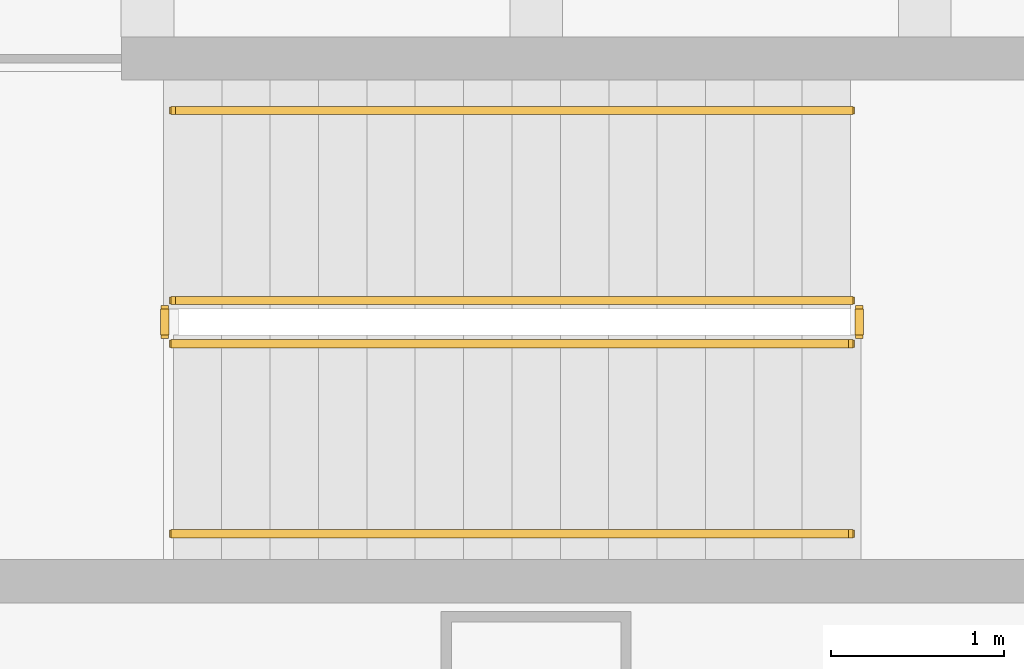
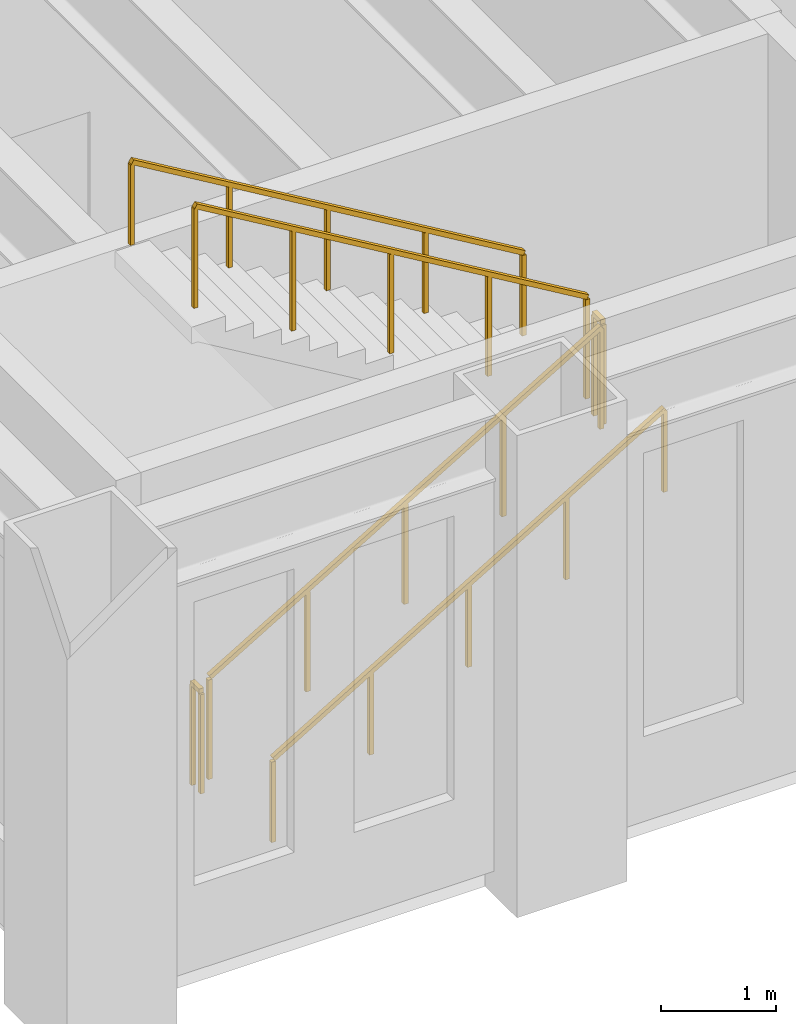
# One storey, part 19 of 21: 6 railings.
"""IFC4 building model written with IfcOpenShell, lengths in metres."""

import ifcopenshell
import ifcopenshell.guid

model = None  # the IFC model being written
_history = None  # IfcOwnerHistory: only IFC2X3 demands one
_inside = {}  # id of a spatial element -> (the spatial element, [elements in it])
_under = {}  # id of a project, library or spatial element -> (it, [spatial elements below it])
_declared = {}  # id of a project -> (the project, [libraries it declares])
_typed = {}  # id of a type object -> (the type object, [elements of that type])
_made_of = {}  # id of a material, layer set ... -> (it, [elements and type objects made of it])


def new_model(schema):
    """Start an empty IFC model of exactly this schema.

    Asked for "IFC4X3", IfcOpenShell would pick the latest addendum, in which some entities
    have other attributes; the version numbers below select the first issue.
    IFC2X3 requires an IfcOwnerHistory on every rooted entity: one is made here for all.
    """
    global model, _history
    if schema == "IFC4X3":
        model = ifcopenshell.file(schema_version=(4, 3, 0, 0))
    else:
        model = ifcopenshell.file(schema=schema)
    _inside.clear()
    _under.clear()
    _declared.clear()
    _typed.clear()
    _made_of.clear()
    _history = None
    if model.schema == "IFC2X3":
        org = make("IfcOrganization", Name="unknown")
        user = make(
            "IfcPersonAndOrganization",
            ThePerson=make("IfcPerson", FamilyName="unknown"),
            TheOrganization=org,
        )
        app = make(
            "IfcApplication",
            ApplicationDeveloper=org,
            Version="unknown",
            ApplicationFullName="unknown",
            ApplicationIdentifier="unknown",
        )
        _history = make(
            "IfcOwnerHistory",
            OwningUser=user,
            OwningApplication=app,
            ChangeAction="ADDED",
            CreationDate=0,
        )
    return model


def make(cls, **values):
    """One entity of the class cls with the attributes given. An attribute that is None is left unset."""
    return model.create_entity(
        cls, **{name: value for name, value in values.items() if value is not None}
    )


def rooted(cls, **values):
    """An entity with a GlobalId (a new one), such as an element, a storey or a relation."""
    return make(cls, GlobalId=ifcopenshell.guid.new(), OwnerHistory=_history, **values)


def si_unit(unit_type, name, prefix=None):
    """IfcSIUnit, for example si_unit("LENGTHUNIT", "METRE", prefix="MILLI")."""
    return make("IfcSIUnit", UnitType=unit_type, Prefix=prefix, Name=name)


def assignment(units):
    """IfcUnitAssignment: the units of a project."""
    return None if units is None else make("IfcUnitAssignment", Units=units)


def point(xyz):
    """IfcCartesianPoint."""
    return None if xyz is None else make("IfcCartesianPoint", Coordinates=xyz)


def direction(xyz):
    """IfcDirection."""
    return None if xyz is None else make("IfcDirection", DirectionRatios=xyz)


def frame(location, z_axis=None, x_axis=None):
    """IfcAxis2Placement3D, a coordinate frame: its origin and axes. An axis left out is left unset."""
    return make(
        "IfcAxis2Placement3D",
        Location=point(location),
        Axis=direction(z_axis),
        RefDirection=direction(x_axis),
    )


def frame_2d(location, x_axis=None):
    """IfcAxis2Placement2D, a coordinate frame in the plane: its origin and x axis."""
    return make(
        "IfcAxis2Placement2D", Location=point(location), RefDirection=direction(x_axis)
    )


def origin():
    """The frame at (0, 0, 0) with its axes left unset."""
    return frame((0.0, 0.0, 0.0))


def origin_2d():
    """The frame at (0, 0) in the plane with its x axis left unset."""
    return frame_2d((0.0, 0.0))


def place(relative_to, where):
    """IfcLocalPlacement: puts the frame where relative to a parent placement (None: the world)."""
    return make(
        "IfcLocalPlacement", PlacementRelTo=relative_to, RelativePlacement=where
    )


def context(
    kind, dimensions, precision=None, world=None, true_north=None, identifier=None
):
    """IfcGeometricRepresentationContext, for example the 3D "Model" context."""
    return make(
        "IfcGeometricRepresentationContext",
        ContextIdentifier=identifier,
        ContextType=kind,
        CoordinateSpaceDimension=dimensions,
        Precision=precision,
        WorldCoordinateSystem=world,
        TrueNorth=true_north,
    )


def subcontext(parent, identifier, kind, view, scale=None):
    """IfcGeometricRepresentationSubContext, for example "Body" below "Model"."""
    return make(
        "IfcGeometricRepresentationSubContext",
        ContextIdentifier=identifier,
        ContextType=kind,
        ParentContext=parent,
        TargetScale=scale,
        TargetView=view,
    )


def project(units=None, contexts=None):
    """IfcProject with its units and contexts."""
    return rooted(
        "IfcProject",
        Name="project",
        RepresentationContexts=contexts,
        UnitsInContext=assignment(units),
    )


def spatial(cls, under=None, at=None, **own):
    """A site, building, storey or space (cls), placed at a placement, below another one or the project."""
    s = rooted(cls, ObjectPlacement=at, **own)
    if under is not None:
        _under.setdefault(under.id(), (under, []))[1].append(s)
    return s


def profile(cls, at=None, kind="AREA", **sizes):
    """A parametric profile (cls). Its sizes go by their IFC names, for example OverallWidth=200.0."""
    return make(cls, ProfileType=kind, Position=at, **sizes)


def rectangle(**sizes):
    """IfcRectangleProfileDef."""
    return profile("IfcRectangleProfileDef", **sizes)


def extrude(swept, where, along, depth):
    """IfcExtrudedAreaSolid: the profile swept, set in the frame where, extruded along a direction by depth."""
    return make(
        "IfcExtrudedAreaSolid",
        SweptArea=swept,
        Position=where,
        ExtrudedDirection=direction(along),
        Depth=depth,
    )


def shape(context_of_items, identifier, shape_type, items):
    """IfcShapeRepresentation: the items that make up one representation, for example the "Body"."""
    return make(
        "IfcShapeRepresentation",
        ContextOfItems=context_of_items,
        RepresentationIdentifier=identifier,
        RepresentationType=shape_type,
        Items=items,
    )


def material(Name=None, Category=None):
    """IfcMaterial."""
    return make("IfcMaterial", Name=Name, Category=Category)


def made_of(thing, what):
    """Note that an element or type object is made of a material, layer set ...; save() writes the relation."""
    if what is not None:
        _made_of.setdefault(what.id(), (what, []))[1].append(thing)
    return thing


def type_object(cls, material=None, **own):
    """A type object (cls), such as IfcWallType, which elements share."""
    return made_of(rooted(cls, **own), material)


def element(
    cls,
    number,
    at=None,
    inside=None,
    cuts=None,
    type_object=None,
    material=None,
    context=None,
    identifier="Body",
    shape_type=None,
    held_by="IfcProductDefinitionShape",
    body=None,
    shapes=None,
    **own,
):
    """One element of the class cls, such as IfcWall. Its Tag is "e" and its number.

    at: its placement. inside: the storey or other place that contains it. cuts: it is an
    opening in that element (IfcRelVoidsElement). A single representation is given by context,
    identifier, shape_type and body (its items); several are given by shapes. held_by: the class
    of the entity that holds the representations. save() writes the other relations.
    """
    e = rooted(cls, Tag="e%d" % number, ObjectPlacement=at, **own)
    if body is not None:
        shapes = [shape(context, identifier, shape_type, body)]
    if shapes is not None:
        e.Representation = make(held_by, Representations=shapes)
    if inside is not None:
        _inside.setdefault(inside.id(), (inside, []))[1].append(e)
    if cuts is not None:
        rooted(
            "IfcRelVoidsElement", RelatingBuildingElement=cuts, RelatedOpeningElement=e
        )
    if type_object is not None:
        _typed.setdefault(type_object.id(), (type_object, []))[1].append(e)
    return made_of(e, material)


def aggregate(whole, parts):
    """IfcRelAggregates: a whole, such as a stair, and the parts it consists of."""
    return rooted("IfcRelAggregates", RelatingObject=whole, RelatedObjects=parts)


def save(model, path):
    """Write the relations noted so far, then the file.

    IfcRelAggregates (storeys below a building ...), IfcRelContainedInSpatialStructure (elements
    in a storey), IfcRelDefinesByType, IfcRelAssociatesMaterial and IfcRelDeclares: one each for
    every whole, place, type object, material and project.
    """
    for whole, parts in _under.values():
        aggregate(whole, parts)
    for where, things in _inside.values():
        rooted(
            "IfcRelContainedInSpatialStructure",
            RelatedElements=things,
            RelatingStructure=where,
        )
    for kind, things in _typed.values():
        rooted("IfcRelDefinesByType", RelatedObjects=things, RelatingType=kind)
    for what, things in _made_of.values():
        rooted("IfcRelAssociatesMaterial", RelatedObjects=things, RelatingMaterial=what)
    for by, libraries in _declared.values():
        rooted("IfcRelDeclares", RelatingContext=by, RelatedDefinitions=libraries)
    model.write(path)


model = new_model("IFC4")

# Units and contexts
model_context = context("Model", 3, precision=1e-05, world=origin(), true_north=direction((0.0, 1.0)))
body_context = subcontext(model_context, "Body", "Model", "MODEL_VIEW")
ifc_project = project(units=[si_unit("LENGTHUNIT", "METRE"), si_unit("AREAUNIT", "SQUARE_METRE"), si_unit("VOLUMEUNIT", "CUBIC_METRE"), si_unit("PLANEANGLEUNIT", "RADIAN"), si_unit("MASSUNIT", "GRAM", prefix="KILO")], contexts=[model_context])

# Site, building, storey
site_placement = place(None, origin())
site = spatial("IfcSite", under=ifc_project, at=site_placement, CompositionType="ELEMENT")
building_placement = place(site_placement, origin())
building = spatial("IfcBuilding", under=site, at=building_placement, Name="Sennacour Bend Tower", CompositionType="ELEMENT")
storey_placement = place(building_placement, frame((0.0, 0.0, 24.0)))
storey = spatial("IfcBuildingStorey", under=building, at=storey_placement, Name="L04", CompositionType="ELEMENT", Elevation=24.0)

# Railings
ifc_material = material(Name="Stainless steel", Category="steel")
railing_type_1 = type_object("IfcRailingType", Name="RL-GUARD-1100", PredefinedType="GUARDRAIL", material=ifc_material)
railing_1_placement = place(storey_placement, frame((2.39990234375, 2.10009765625, 0.166748046875)))
element("IfcRailing", 1, at=railing_1_placement, inside=storey, type_object=railing_type_1, Name="L04 SK1 stair guard 1", PredefinedType="GUARDRAIL", context=body_context, shape_type="SweptSolid", body=[
    extrude(rectangle(XDim=0.048095703125, YDim=0.048095703125, at=origin_2d()), frame((0.0, 0.0, 1.076171875), z_axis=(0.859310244771, 0.0, 0.511454693235), x_axis=(0.0, 1.0, 0.0)), (0.0, 0.0, 1.0), 4.56201171875),
    extrude(rectangle(XDim=0.0419921875, YDim=0.0419921875, at=origin_2d()), origin(), (0.0, 0.0, 1.0), 1.052001953125),
    extrude(rectangle(XDim=0.0419921875, YDim=0.0419921875, at=origin_2d()), frame((0.97998046875, 0.0, 0.583251953125)), (0.0, 0.0, 1.0), 1.052001953125),
    extrude(rectangle(XDim=0.0419921875, YDim=0.0419921875, at=origin_2d()), frame((1.9599609375, 0.0, 1.16650390625)), (0.0, 0.0, 1.0), 1.052001953125),
    extrude(rectangle(XDim=0.0419921875, YDim=0.0419921875, at=origin_2d()), frame((2.940185546875, 0.0, 1.75)), (0.0, 0.0, 1.0), 1.052001953125),
    extrude(rectangle(XDim=0.0419921875, YDim=0.0419921875, at=origin_2d()), frame((3.920166015625, 0.0, 2.333251953125)), (0.0, 0.0, 1.0), 1.052001953125),
])
railing_2_placement = place(storey_placement, frame((6.3701171875, 2.14990234375, 2.5)))
element("IfcRailing", 2, at=railing_2_placement, inside=storey, type_object=railing_type_1, Name="L04 SK1 stair guard 2", PredefinedType="GUARDRAIL", context=body_context, shape_type="SweptSolid", body=[
    extrude(rectangle(XDim=0.048095703125, YDim=0.048095703125, at=origin_2d()), frame((0.0, 0.0, 1.076171875), z_axis=(0.0, 1.0, 0.0), x_axis=(-1.0, 0.0, 0.0)), (0.0, 0.0, 1.0), 0.150146484375),
    extrude(rectangle(XDim=0.0419921875, YDim=0.0419921875, at=origin_2d()), origin(), (0.0, 0.0, 1.0), 1.052001953125),
    extrude(rectangle(XDim=0.0419921875, YDim=0.0419921875, at=origin_2d()), frame((0.0, 0.150146484375, 0.0)), (0.0, 0.0, 1.0), 1.052001953125),
])
railing_3_placement = place(storey_placement, frame((6.320068359375, 2.35009765625, 2.666748046875)))
element("IfcRailing", 3, at=railing_3_placement, inside=storey, type_object=railing_type_1, Name="L04 SK1 stair guard 3", PredefinedType="GUARDRAIL", context=body_context, shape_type="SweptSolid", body=[
    extrude(rectangle(XDim=0.048095703125, YDim=0.048095703125, at=origin_2d()), frame((0.0, 0.0, 1.076171875), z_axis=(-0.859310244771, 0.0, 0.511454693235), x_axis=(0.0, -1.0, 0.0)), (0.0, 0.0, 1.0), 4.56201171875),
    extrude(rectangle(XDim=0.0419921875, YDim=0.0419921875, at=origin_2d()), origin(), (0.0, 0.0, 1.0), 1.052001953125),
    extrude(rectangle(XDim=0.0419921875, YDim=0.0419921875, at=origin_2d()), frame((-0.97998046875, 0.0, 0.583251953125)), (0.0, 0.0, 1.0), 1.052001953125),
    extrude(rectangle(XDim=0.0419921875, YDim=0.0419921875, at=origin_2d()), frame((-1.9599609375, 0.0, 1.16650390625)), (0.0, 0.0, 1.0), 1.052001953125),
    extrude(rectangle(XDim=0.0419921875, YDim=0.0419921875, at=origin_2d()), frame((-2.940185546875, 0.0, 1.75)), (0.0, 0.0, 1.0), 1.052001953125),
    extrude(rectangle(XDim=0.0419921875, YDim=0.0419921875, at=origin_2d()), frame((-3.920166015625, 0.0, 2.333251953125)), (0.0, 0.0, 1.0), 1.052001953125),
])
railing_4_placement = place(storey_placement, frame((2.35009765625, 2.14990234375, 0.0)))
element("IfcRailing", 4, at=railing_4_placement, inside=storey, type_object=railing_type_1, Name="L04 SK1 stair guard 4", PredefinedType="GUARDRAIL", context=body_context, shape_type="SweptSolid", body=[
    extrude(rectangle(XDim=0.048095703125, YDim=0.048095703125, at=origin_2d()), frame((0.0, 0.0, 1.076171875), z_axis=(0.0, 1.0, 0.0), x_axis=(-1.0, 0.0, 0.0)), (0.0, 0.0, 1.0), 0.150146484375),
    extrude(rectangle(XDim=0.0419921875, YDim=0.0419921875, at=origin_2d()), origin(), (0.0, 0.0, 1.0), 1.052001953125),
    extrude(rectangle(XDim=0.0419921875, YDim=0.0419921875, at=origin_2d()), frame((0.0, 0.150146484375, 0.0)), (0.0, 0.0, 1.0), 1.052001953125),
])
railing_type_2 = type_object("IfcRailingType", Name="RL-HANDRAIL-900", PredefinedType="HANDRAIL", material=ifc_material)
railing_5_placement = place(storey_placement, frame((2.39990234375, 1.0, 0.166748046875)))
element("IfcRailing", 5, at=railing_5_placement, inside=storey, type_object=railing_type_2, Name="L04 SK1 stair handrail 1", PredefinedType="HANDRAIL", context=body_context, shape_type="SweptSolid", body=[
    extrude(rectangle(XDim=0.048095703125, YDim=0.048095703125, at=origin_2d()), frame((0.0, 0.0, 0.8759765625), z_axis=(0.859310244771, 0.0, 0.511454693235), x_axis=(0.0, 1.0, 0.0)), (0.0, 0.0, 1.0), 4.56201171875),
    extrude(rectangle(XDim=0.0419921875, YDim=0.0419921875, at=origin_2d()), origin(), (0.0, 0.0, 1.0), 0.851806640625),
    extrude(rectangle(XDim=0.0419921875, YDim=0.0419921875, at=origin_2d()), frame((0.97998046875, 0.0, 0.583251953125)), (0.0, 0.0, 1.0), 0.851806640625),
    extrude(rectangle(XDim=0.0419921875, YDim=0.0419921875, at=origin_2d()), frame((1.9599609375, 0.0, 1.16650390625)), (0.0, 0.0, 1.0), 0.851806640625),
    extrude(rectangle(XDim=0.0419921875, YDim=0.0419921875, at=origin_2d()), frame((2.940185546875, 0.0, 1.75)), (0.0, 0.0, 1.0), 0.851806640625),
    extrude(rectangle(XDim=0.0419921875, YDim=0.0419921875, at=origin_2d()), frame((3.920166015625, 0.0, 2.333251953125)), (0.0, 0.0, 1.0), 0.851806640625),
])
railing_6_placement = place(storey_placement, frame((6.320068359375, 3.449951171875, 2.666748046875)))
element("IfcRailing", 6, at=railing_6_placement, inside=storey, type_object=railing_type_2, Name="L04 SK1 stair handrail 2", PredefinedType="HANDRAIL", context=body_context, shape_type="SweptSolid", body=[
    extrude(rectangle(XDim=0.048095703125, YDim=0.048095703125, at=origin_2d()), frame((0.0, 0.0, 0.8759765625), z_axis=(-0.859310244771, 0.0, 0.511454693235), x_axis=(0.0, -1.0, 0.0)), (0.0, 0.0, 1.0), 4.56201171875),
    extrude(rectangle(XDim=0.0419921875, YDim=0.0419921875, at=origin_2d()), origin(), (0.0, 0.0, 1.0), 0.851806640625),
    extrude(rectangle(XDim=0.0419921875, YDim=0.0419921875, at=origin_2d()), frame((-0.97998046875, 0.0, 0.583251953125)), (0.0, 0.0, 1.0), 0.851806640625),
    extrude(rectangle(XDim=0.0419921875, YDim=0.0419921875, at=origin_2d()), frame((-1.9599609375, 0.0, 1.16650390625)), (0.0, 0.0, 1.0), 0.851806640625),
    extrude(rectangle(XDim=0.0419921875, YDim=0.0419921875, at=origin_2d()), frame((-2.940185546875, 0.0, 1.75)), (0.0, 0.0, 1.0), 0.851806640625),
    extrude(rectangle(XDim=0.0419921875, YDim=0.0419921875, at=origin_2d()), frame((-3.920166015625, 0.0, 2.333251953125)), (0.0, 0.0, 1.0), 0.851806640625),
])

save(model, "model.ifc")
